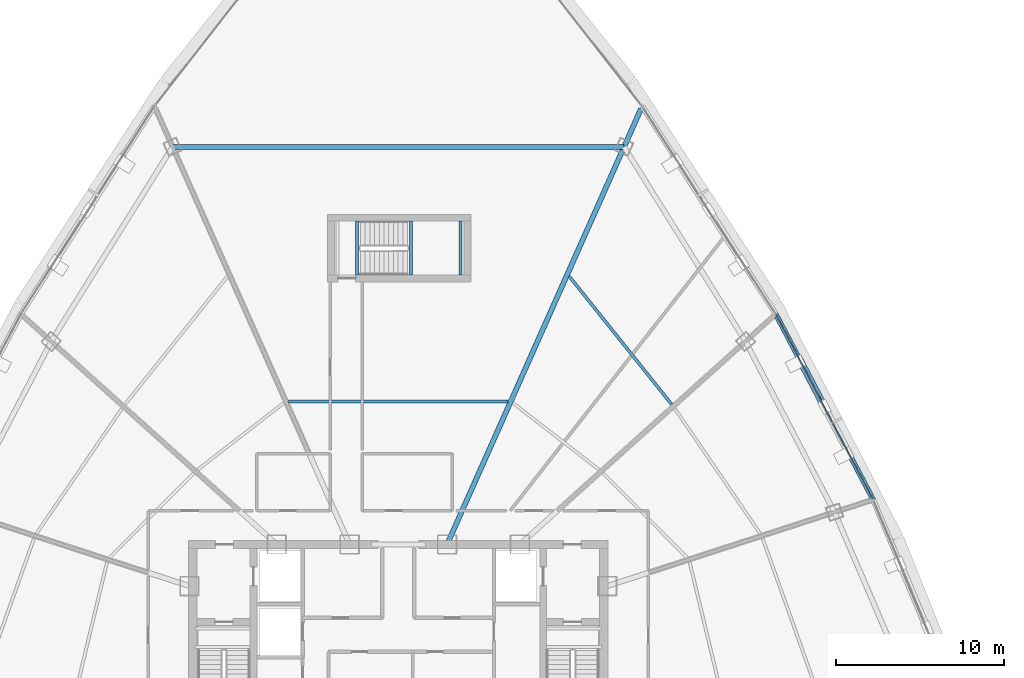
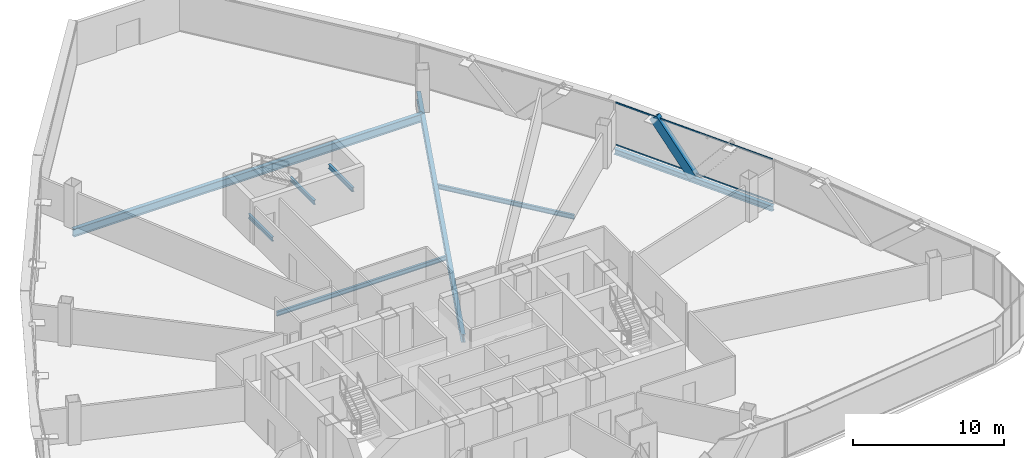
# One storey, part 20 of 36: 8 beams, 3 members, 1 element without a shape of its own.
"""IFC4 building model written with IfcOpenShell, lengths in metres."""

from ifc_helpers import new_model, si_unit, direction, frame, origin, origin_2d, place, context, subcontext, project, spatial, hollow_rectangle, i_section, extrude, source, transform, mapped, material, layer, layer_set, material_profile, profile_set, type_object, element, aggregate, save


model = new_model("IFC4")

# Units and contexts
model_context = context("Model", 3, precision=1e-05, world=origin(), true_north=direction((0.0, 1.0)))
body_context = subcontext(model_context, "Body", "Model", "MODEL_VIEW")
ifc_project = project(units=[si_unit("LENGTHUNIT", "METRE"), si_unit("AREAUNIT", "SQUARE_METRE"), si_unit("VOLUMEUNIT", "CUBIC_METRE"), si_unit("PLANEANGLEUNIT", "RADIAN"), si_unit("MASSUNIT", "GRAM", prefix="KILO"), si_unit("THERMODYNAMICTEMPERATUREUNIT", "KELVIN"), si_unit("POWERUNIT", "WATT")], contexts=[model_context])

# Site, building, storey
site_placement = place(None, origin())
site = spatial("IfcSite", under=ifc_project, at=site_placement, CompositionType="ELEMENT")
building_placement = place(site_placement, origin())
building = spatial("IfcBuilding", under=site, at=building_placement, Name="Yunzhuo Pagoda Commons", CompositionType="ELEMENT")
storey_placement = place(building_placement, frame((0.0, 0.0, 248.260009765625)))
storey = spatial("IfcBuildingStorey", under=building, at=storey_placement, Name="L62", CompositionType="ELEMENT", Elevation=248.260009765625)

# Beams
ifc_material_1 = material(Name="Structural steel Q355B", Category="steel")
ifc_material_profile_1 = material_profile(ifc_material_1, i_section(OverallWidth=0.175048828125, OverallDepth=0.35009765625, WebThickness=0.007080078125, FlangeThickness=0.010986328125, at=origin_2d()), Name="Structural steel Q355B")
ifc_profile_set_1 = profile_set([ifc_material_profile_1], Name="Structural steel Q355B")
beam_type_1 = type_object("IfcBeamType", Name="B-JS2 Joist HN 350x175x7x11", PredefinedType="JOIST", material=ifc_profile_set_1)
shared_shape_1 = source(origin(), body_context, "Body", "SweptSolid", [
    extrude(i_section(OverallWidth=0.175048828125, OverallDepth=0.35009765625, WebThickness=0.007080078125, FlangeThickness=0.010986328125, at=origin_2d()), origin(), (0.0, 0.0, 1.0), 3.199951171875),
])
for number, where, z_axis, x_axis, name in (
    (1, (48.75, 56.199951171875, 1.489990234375), (0.0, 1.0, 0.0), (-1.0, 0.0, 0.0), "L62 ST3 landing support beam 68A"),
    (2, (51.699951171875, 56.199951171875, 1.489990234375), (0.0, 1.0, 0.0), (-1.0, 0.0, 0.0), "L62 ST3 landing support beam 68B"),
    (3, (45.550048828125, 56.199951171875, -0.375), (0.0, 1.0, 0.0), (-1.0, 0.0, 0.0), "L62 ST3 landing support beam 136B"),
):
    element("IfcBeam", number, at=place(storey_placement, frame(where, z_axis=z_axis, x_axis=x_axis)), inside=storey, type_object=beam_type_1, Name=name, PredefinedType="JOIST", context=body_context, shape_type="MappedRepresentation", body=[
        mapped(shared_shape_1, transform((0.0, 0.0, 0.0), scale=1.0)),
    ])
ifc_material_profile_2 = material_profile(ifc_material_1, i_section(OverallWidth=0.300048828125, OverallDepth=0.64990234375, WebThickness=0.012939453125, FlangeThickness=0.02197265625, at=origin_2d()), Name="Structural steel Q355B")
ifc_profile_set_2 = profile_set([ifc_material_profile_2], Name="Structural steel Q355B")
beam_type_2 = type_object("IfcBeamType", Name="B-RG2 Beam HN 650x300x13x22", PredefinedType="BEAM", material=ifc_profile_set_2)
shared_shape_2 = source(origin(), body_context, "Body", "SweptSolid", [
    extrude(i_section(OverallWidth=0.300048828125, OverallDepth=0.64990234375, WebThickness=0.012939453125, FlangeThickness=0.02197265625, at=origin_2d()), origin(), (0.0, 0.0, 1.0), 26.8134765625),
])
beam_1_placement = place(storey_placement, frame((61.40673828125, 63.81201171875, -0.5849609375), z_axis=(-1.0, 0.0, 0.0), x_axis=(0.0, -1.0, 0.0)))
element("IfcBeam", 4, at=beam_1_placement, inside=storey, type_object=beam_type_2, Name="L62 column-ring beam 8", PredefinedType="BEAM", context=body_context, shape_type="MappedRepresentation", body=[
    mapped(shared_shape_2, transform((0.0, 0.0, 0.0), scale=1.0)),
])
shared_shape_3 = source(origin(), body_context, "Body", "SweptSolid", [
    extrude(i_section(OverallWidth=0.175048828125, OverallDepth=0.35009765625, WebThickness=0.007080078125, FlangeThickness=0.010986328125, at=origin_2d()), origin(), (0.0, 0.0, 1.0), 9.741455078125),
])
beam_2_placement = place(storey_placement, frame((64.226806640625, 48.5244140625, -0.43505859375), z_axis=(-0.624618636222, 0.780929932378, 0.0), x_axis=(-0.780929932378, -0.624618636222, 0.0)))
element("IfcBeam", 5, at=beam_2_placement, inside=storey, type_object=beam_type_1, Name="L62 composite ring joist 2.7", PredefinedType="JOIST", context=body_context, shape_type="MappedRepresentation", body=[
    mapped(shared_shape_3, transform((0.0, 0.0, 0.0), scale=1.0)),
])
shared_shape_4 = source(origin(), body_context, "Body", "SweptSolid", [
    extrude(i_section(OverallWidth=0.175048828125, OverallDepth=0.35009765625, WebThickness=0.007080078125, FlangeThickness=0.010986328125, at=origin_2d()), origin(), (0.0, 0.0, 1.0), 13.0390625),
])
beam_3_placement = place(storey_placement, frame((54.51953125, 48.7001953125, -0.43505859375), z_axis=(-1.0, 0.0, 0.0), x_axis=(0.0, -1.0, 0.0)))
element("IfcBeam", 6, at=beam_3_placement, inside=storey, type_object=beam_type_1, Name="L62 composite ring joist 1.8", PredefinedType="JOIST", context=body_context, shape_type="MappedRepresentation", body=[
    mapped(shared_shape_4, transform((0.0, 0.0, 0.0), scale=1.0)),
])
shared_shape_5 = source(origin(), body_context, "Body", "SweptSolid", [
    extrude(i_section(OverallWidth=0.300048828125, OverallDepth=0.64990234375, WebThickness=0.012939453125, FlangeThickness=0.02197265625, at=origin_2d()), origin(), (0.0, 0.0, 1.0), 28.330322265625),
])
beam_4_placement = place(storey_placement, frame((62.4169921875, 66.0810546875, -0.5849609375), z_axis=(-0.406734861617, -0.913546250797, 0.0), x_axis=(0.913546250797, -0.406734861617, 0.0)))
element("IfcBeam", 7, at=beam_4_placement, inside=storey, type_object=beam_type_2, Name="L62 radial floor girder F2C4", PredefinedType="BEAM", context=body_context, shape_type="MappedRepresentation", body=[
    mapped(shared_shape_5, transform((0.0, 0.0, 0.0), scale=1.0)),
])
ifc_material_profile_3 = material_profile(ifc_material_1, i_section(OverallWidth=0.300048828125, OverallDepth=0.43994140625, WebThickness=0.010986328125, FlangeThickness=0.01806640625, at=origin_2d()), Name="Structural steel Q355B")
ifc_profile_set_3 = profile_set([ifc_material_profile_3], Name="Structural steel Q355B")
beam_type_3 = type_object("IfcBeamType", Name="B-SP2 Beam HM 440x300x11x18", PredefinedType="BEAM", material=ifc_profile_set_3)
shared_shape_6 = source(origin(), body_context, "Body", "SweptSolid", [
    extrude(i_section(OverallWidth=0.300048828125, OverallDepth=0.43994140625, WebThickness=0.010986328125, FlangeThickness=0.01806640625, at=origin_2d()), origin(), (0.0, 0.0, 1.0), 12.4443359375),
])
beam_5_placement = place(storey_placement, frame((76.195556640625, 42.861083984375, -0.47998046875), z_axis=(-0.464783145673, 0.885424546474, 0.0), x_axis=(-0.885424546474, -0.464783145673, 0.0)))
element("IfcBeam", 8, at=beam_5_placement, inside=storey, type_object=beam_type_3, Name="L62 facade edge spandrel beam F2.2", PredefinedType="BEAM", context=body_context, shape_type="MappedRepresentation", body=[
    mapped(shared_shape_6, transform((0.0, 0.0, 0.0), scale=1.0)),
])

# Member
ifc_material_profile_4 = material_profile(ifc_material_1, hollow_rectangle(XDim=0.39990234375, YDim=0.719970703125, WallThickness=0.02392578125, at=origin_2d()), Name="Structural steel Q355B")
ifc_profile_set_4 = profile_set([ifc_material_profile_4], Name="Structural steel Q355B")
member_type_1 = type_object("IfcMemberType", Name="M-DL2 Brace BOX 720x400x24", PredefinedType="BRACE", material=ifc_profile_set_4)
shared_shape_7 = source(origin(), body_context, "Body", "SweptSolid", [
    extrude(hollow_rectangle(XDim=0.39990234375, YDim=0.719970703125, WallThickness=0.02392578125, at=origin_2d()), origin(), (0.0, 0.0, 1.0), 4.857177734375),
])
member_1_placement = place(storey_placement, frame((73.303466796875, 48.370361328125, -0.260009765625), z_axis=(-0.297657845375, 0.567118113705, 0.767969304201), x_axis=(-0.885448766828, -0.464737002318, 0.0)))
element("IfcMember", 9, at=member_1_placement, inside=storey, type_object=member_type_1, Name="L62 facade diamond brace F2.2R", PredefinedType="BRACE", context=body_context, shape_type="MappedRepresentation", body=[
    mapped(shared_shape_7, transform((0.0, 0.0, 0.0), scale=1.0)),
])

# Curtain wall, members
ifc_material_2 = material(Name="Anodized aluminium 6063-T6", Category="aluminium")
ifc_layer = layer(ifc_material_2, 0.139892578125)
ifc_layer_set = layer_set([ifc_layer], Name="Anodized aluminium 6063-T6")
curtain_wall_type = type_object("IfcCurtainWallType", Name="CW-HI High-Zone Ribbon Curtain Wall", PredefinedType="NOTDEFINED", material=ifc_layer_set)
curtain_wall_placement = place(storey_placement, origin())
curtain_wall = element("IfcCurtainWall", 10, at=curtain_wall_placement, inside=storey, type_object=curtain_wall_type, Name="L62 curtain wall CW-L62-F2B3", PredefinedType="NOTDEFINED")
ifc_material_profile_5 = material_profile(ifc_material_2, hollow_rectangle(XDim=0.054931640625, YDim=0.1201171875, WallThickness=0.00341796875, at=origin_2d()), Name="Anodized aluminium 6063-T6")
ifc_profile_set_5 = profile_set([ifc_material_profile_5], Name="Anodized aluminium 6063-T6")
member_type_2 = type_object("IfcMemberType", Name="CW-HI-T Transom RHS 120x55x3.5", PredefinedType="USERDEFINED", material=ifc_profile_set_5)
shared_shape_8 = source(origin(), body_context, "Body", "SweptSolid", [
    extrude(hollow_rectangle(XDim=0.054931640625, YDim=0.1201171875, WallThickness=0.00341796875, at=origin_2d()), origin(), (0.0, 0.0, 1.0), 12.32421875),
])
member_2_placement = place(storey_placement, frame((76.167724609375, 42.914306640625, 0.027587890625), z_axis=(-0.464781097507, 0.885425621608, 0.0), x_axis=(-0.885425621608, -0.464781097507, 0.0)))
member_2 = element("IfcMember", 11, at=member_2_placement, type_object=member_type_2, Name="CW transom 1.1", ObjectType="TRANSOM", PredefinedType="USERDEFINED", context=body_context, shape_type="MappedRepresentation", body=[
    mapped(shared_shape_8, transform((0.0, 0.0, 0.0), scale=1.0)),
])
member_3_placement = place(storey_placement, frame((76.167724609375, 42.914306640625, 3.4423828125), z_axis=(-0.464781097507, 0.885425621608, 0.0), x_axis=(-0.885425621608, -0.464781097507, 0.0)))
member_3 = element("IfcMember", 12, at=member_3_placement, type_object=member_type_2, Name="CW transom 1.2", ObjectType="TRANSOM", PredefinedType="USERDEFINED", context=body_context, shape_type="MappedRepresentation", body=[
    mapped(shared_shape_8, transform((0.0, 0.0, 0.0), scale=1.0)),
])
aggregate(curtain_wall, [member_2, member_3])

save(model, "model.ifc")
